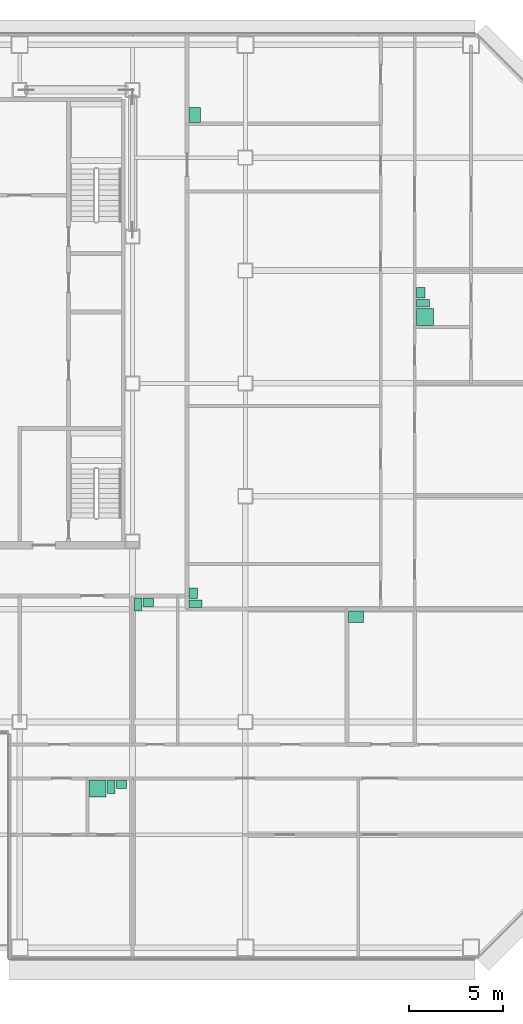
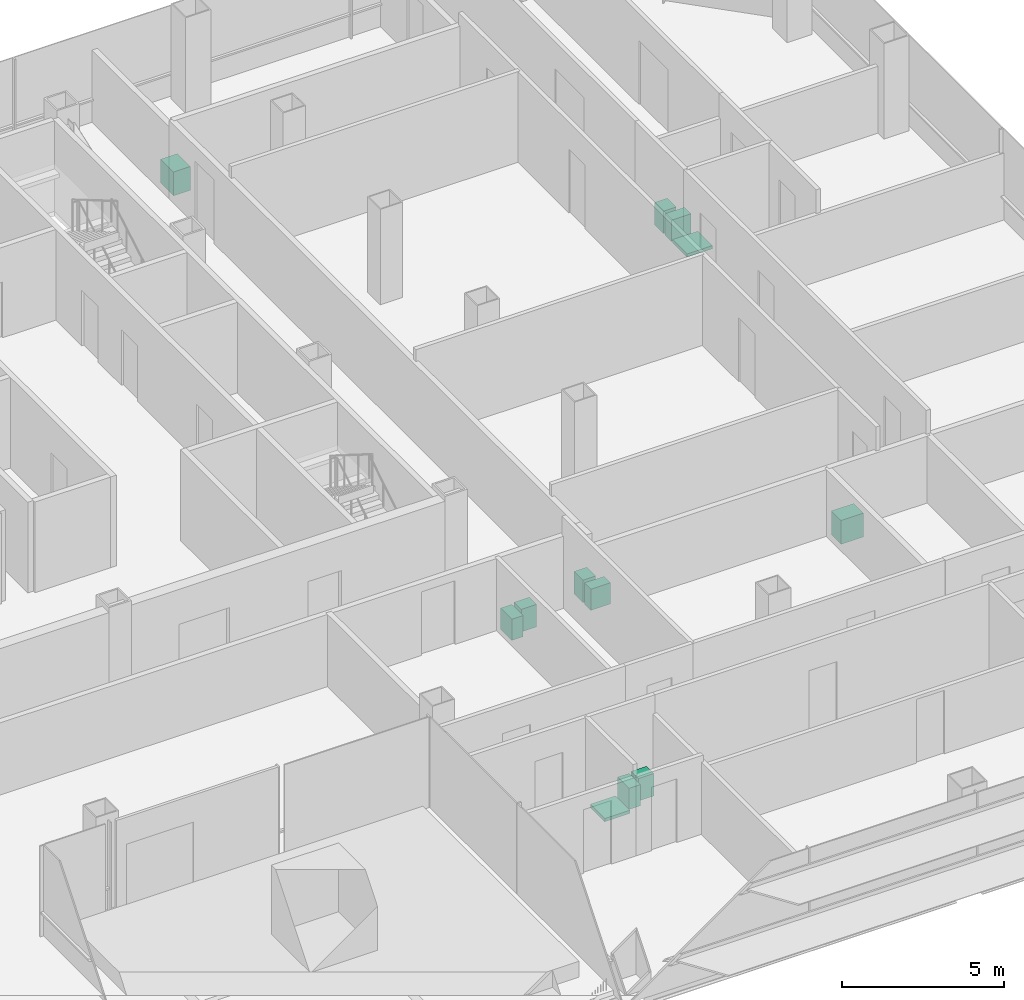
# One storey, part 26 of 27: 12 sanitary terminals.
"""IFC4 building model written with IfcOpenShell, lengths in metres."""

import ifcopenshell
import ifcopenshell.guid

model = None  # the IFC model being written
_history = None  # IfcOwnerHistory: only IFC2X3 demands one
_inside = {}  # id of a spatial element -> (the spatial element, [elements in it])
_under = {}  # id of a project, library or spatial element -> (it, [spatial elements below it])
_declared = {}  # id of a project -> (the project, [libraries it declares])
_typed = {}  # id of a type object -> (the type object, [elements of that type])
_made_of = {}  # id of a material, layer set ... -> (it, [elements and type objects made of it])


def new_model(schema):
    """Start an empty IFC model of exactly this schema.

    Asked for "IFC4X3", IfcOpenShell would pick the latest addendum, in which some entities
    have other attributes; the version numbers below select the first issue.
    IFC2X3 requires an IfcOwnerHistory on every rooted entity: one is made here for all.
    """
    global model, _history
    if schema == "IFC4X3":
        model = ifcopenshell.file(schema_version=(4, 3, 0, 0))
    else:
        model = ifcopenshell.file(schema=schema)
    _inside.clear()
    _under.clear()
    _declared.clear()
    _typed.clear()
    _made_of.clear()
    _history = None
    if model.schema == "IFC2X3":
        org = make("IfcOrganization", Name="unknown")
        user = make(
            "IfcPersonAndOrganization",
            ThePerson=make("IfcPerson", FamilyName="unknown"),
            TheOrganization=org,
        )
        app = make(
            "IfcApplication",
            ApplicationDeveloper=org,
            Version="unknown",
            ApplicationFullName="unknown",
            ApplicationIdentifier="unknown",
        )
        _history = make(
            "IfcOwnerHistory",
            OwningUser=user,
            OwningApplication=app,
            ChangeAction="ADDED",
            CreationDate=0,
        )
    return model


def make(cls, **values):
    """One entity of the class cls with the attributes given. An attribute that is None is left unset."""
    return model.create_entity(
        cls, **{name: value for name, value in values.items() if value is not None}
    )


def rooted(cls, **values):
    """An entity with a GlobalId (a new one), such as an element, a storey or a relation."""
    return make(cls, GlobalId=ifcopenshell.guid.new(), OwnerHistory=_history, **values)


def si_unit(unit_type, name, prefix=None):
    """IfcSIUnit, for example si_unit("LENGTHUNIT", "METRE", prefix="MILLI")."""
    return make("IfcSIUnit", UnitType=unit_type, Prefix=prefix, Name=name)


def assignment(units):
    """IfcUnitAssignment: the units of a project."""
    return None if units is None else make("IfcUnitAssignment", Units=units)


def point(xyz):
    """IfcCartesianPoint."""
    return None if xyz is None else make("IfcCartesianPoint", Coordinates=xyz)


def direction(xyz):
    """IfcDirection."""
    return None if xyz is None else make("IfcDirection", DirectionRatios=xyz)


def frame(location, z_axis=None, x_axis=None):
    """IfcAxis2Placement3D, a coordinate frame: its origin and axes. An axis left out is left unset."""
    return make(
        "IfcAxis2Placement3D",
        Location=point(location),
        Axis=direction(z_axis),
        RefDirection=direction(x_axis),
    )


def frame_2d(location, x_axis=None):
    """IfcAxis2Placement2D, a coordinate frame in the plane: its origin and x axis."""
    return make(
        "IfcAxis2Placement2D", Location=point(location), RefDirection=direction(x_axis)
    )


def origin():
    """The frame at (0, 0, 0) with its axes left unset."""
    return frame((0.0, 0.0, 0.0))


def origin_2d():
    """The frame at (0, 0) in the plane with its x axis left unset."""
    return frame_2d((0.0, 0.0))


def place(relative_to, where):
    """IfcLocalPlacement: puts the frame where relative to a parent placement (None: the world)."""
    return make(
        "IfcLocalPlacement", PlacementRelTo=relative_to, RelativePlacement=where
    )


def context(
    kind, dimensions, precision=None, world=None, true_north=None, identifier=None
):
    """IfcGeometricRepresentationContext, for example the 3D "Model" context."""
    return make(
        "IfcGeometricRepresentationContext",
        ContextIdentifier=identifier,
        ContextType=kind,
        CoordinateSpaceDimension=dimensions,
        Precision=precision,
        WorldCoordinateSystem=world,
        TrueNorth=true_north,
    )


def subcontext(parent, identifier, kind, view, scale=None):
    """IfcGeometricRepresentationSubContext, for example "Body" below "Model"."""
    return make(
        "IfcGeometricRepresentationSubContext",
        ContextIdentifier=identifier,
        ContextType=kind,
        ParentContext=parent,
        TargetScale=scale,
        TargetView=view,
    )


def project(units=None, contexts=None):
    """IfcProject with its units and contexts."""
    return rooted(
        "IfcProject",
        Name="project",
        RepresentationContexts=contexts,
        UnitsInContext=assignment(units),
    )


def spatial(cls, under=None, at=None, **own):
    """A site, building, storey or space (cls), placed at a placement, below another one or the project."""
    s = rooted(cls, ObjectPlacement=at, **own)
    if under is not None:
        _under.setdefault(under.id(), (under, []))[1].append(s)
    return s


def profile(cls, at=None, kind="AREA", **sizes):
    """A parametric profile (cls). Its sizes go by their IFC names, for example OverallWidth=200.0."""
    return make(cls, ProfileType=kind, Position=at, **sizes)


def rectangle(**sizes):
    """IfcRectangleProfileDef."""
    return profile("IfcRectangleProfileDef", **sizes)


def extrude(swept, where, along, depth):
    """IfcExtrudedAreaSolid: the profile swept, set in the frame where, extruded along a direction by depth."""
    return make(
        "IfcExtrudedAreaSolid",
        SweptArea=swept,
        Position=where,
        ExtrudedDirection=direction(along),
        Depth=depth,
    )


def shape(context_of_items, identifier, shape_type, items):
    """IfcShapeRepresentation: the items that make up one representation, for example the "Body"."""
    return make(
        "IfcShapeRepresentation",
        ContextOfItems=context_of_items,
        RepresentationIdentifier=identifier,
        RepresentationType=shape_type,
        Items=items,
    )


def made_of(thing, what):
    """Note that an element or type object is made of a material, layer set ...; save() writes the relation."""
    if what is not None:
        _made_of.setdefault(what.id(), (what, []))[1].append(thing)
    return thing


def element(
    cls,
    number,
    at=None,
    inside=None,
    cuts=None,
    type_object=None,
    material=None,
    context=None,
    identifier="Body",
    shape_type=None,
    held_by="IfcProductDefinitionShape",
    body=None,
    shapes=None,
    **own,
):
    """One element of the class cls, such as IfcWall. Its Tag is "e" and its number.

    at: its placement. inside: the storey or other place that contains it. cuts: it is an
    opening in that element (IfcRelVoidsElement). A single representation is given by context,
    identifier, shape_type and body (its items); several are given by shapes. held_by: the class
    of the entity that holds the representations. save() writes the other relations.
    """
    e = rooted(cls, Tag="e%d" % number, ObjectPlacement=at, **own)
    if body is not None:
        shapes = [shape(context, identifier, shape_type, body)]
    if shapes is not None:
        e.Representation = make(held_by, Representations=shapes)
    if inside is not None:
        _inside.setdefault(inside.id(), (inside, []))[1].append(e)
    if cuts is not None:
        rooted(
            "IfcRelVoidsElement", RelatingBuildingElement=cuts, RelatedOpeningElement=e
        )
    if type_object is not None:
        _typed.setdefault(type_object.id(), (type_object, []))[1].append(e)
    return made_of(e, material)


def aggregate(whole, parts):
    """IfcRelAggregates: a whole, such as a stair, and the parts it consists of."""
    return rooted("IfcRelAggregates", RelatingObject=whole, RelatedObjects=parts)


def save(model, path):
    """Write the relations noted so far, then the file.

    IfcRelAggregates (storeys below a building ...), IfcRelContainedInSpatialStructure (elements
    in a storey), IfcRelDefinesByType, IfcRelAssociatesMaterial and IfcRelDeclares: one each for
    every whole, place, type object, material and project.
    """
    for whole, parts in _under.values():
        aggregate(whole, parts)
    for where, things in _inside.values():
        rooted(
            "IfcRelContainedInSpatialStructure",
            RelatedElements=things,
            RelatingStructure=where,
        )
    for kind, things in _typed.values():
        rooted("IfcRelDefinesByType", RelatedObjects=things, RelatingType=kind)
    for what, things in _made_of.values():
        rooted("IfcRelAssociatesMaterial", RelatedObjects=things, RelatingMaterial=what)
    for by, libraries in _declared.values():
        rooted("IfcRelDeclares", RelatingContext=by, RelatedDefinitions=libraries)
    model.write(path)


model = new_model("IFC4")

# Units and contexts
model_context = context("Model", 3, precision=1e-05, world=origin(), true_north=direction((0.0, 1.0)))
body_context = subcontext(model_context, "Body", "Model", "MODEL_VIEW")
ifc_project = project(units=[si_unit("LENGTHUNIT", "METRE"), si_unit("AREAUNIT", "SQUARE_METRE"), si_unit("VOLUMEUNIT", "CUBIC_METRE"), si_unit("PLANEANGLEUNIT", "RADIAN"), si_unit("MASSUNIT", "GRAM", prefix="KILO")], contexts=[model_context])

# Site, building, storey
site_placement = place(None, origin())
site = spatial("IfcSite", under=ifc_project, at=site_placement, CompositionType="ELEMENT")
building_placement = place(site_placement, origin())
building = spatial("IfcBuilding", under=site, at=building_placement, Name="Sorahane Residences", CompositionType="ELEMENT")
storey_placement = place(building_placement, frame((0.0, 0.0, 82.199951171875)))
storey = spatial("IfcBuildingStorey", under=building, at=storey_placement, Name="L17", CompositionType="ELEMENT", Elevation=82.199951171875)

# Sanitary terminals
sanitary_terminal_1_placement = place(storey_placement, frame((40.1298828125, 8.449951171875, 0.0), z_axis=(0.0, 0.0, 1.0), x_axis=(1.0, 0.0, 0.0)))
element("IfcSanitaryTerminal", 1, at=sanitary_terminal_1_placement, inside=storey, Name="Shower tray En-suite bathroom 17B", PredefinedType="SHOWER", context=body_context, shape_type="SweptSolid", body=[
    extrude(rectangle(XDim=0.89990234375, YDim=0.89990234375, at=origin_2d()), origin(), (0.0, 0.0, 1.0), 0.1201171875),
])
sanitary_terminal_2_placement = place(storey_placement, frame((40.860107421875, 8.550048828125, 0.0), z_axis=(0.0, 0.0, 1.0), x_axis=(1.0, 0.0, 0.0)))
element("IfcSanitaryTerminal", 2, at=sanitary_terminal_2_placement, inside=storey, Name="WC pan En-suite bathroom 17B", PredefinedType="TOILETPAN", context=body_context, shape_type="SweptSolid", body=[
    extrude(rectangle(XDim=0.39990234375, YDim=0.699951171875, at=origin_2d()), origin(), (0.0, 0.0, 1.0), 0.800048828125),
])
sanitary_terminal_3_placement = place(storey_placement, frame((41.4150390625, 8.675048828125, 0.0), z_axis=(0.0, 0.0, 1.0), x_axis=(1.0, 0.0, 0.0)))
element("IfcSanitaryTerminal", 3, at=sanitary_terminal_3_placement, inside=storey, Name="Wash basin En-suite bathroom 17B", PredefinedType="WASHHANDBASIN", context=body_context, shape_type="SweptSolid", body=[
    extrude(rectangle(XDim=0.550048828125, YDim=0.449951171875, at=origin_2d()), origin(), (0.0, 0.0, 1.0), 0.85009765625),
])
sanitary_terminal_4_placement = place(storey_placement, frame((42.280029296875, 18.25, 0.0), z_axis=(0.0, 0.0, 1.0), x_axis=(1.0, 0.0, 0.0)))
element("IfcSanitaryTerminal", 4, at=sanitary_terminal_4_placement, inside=storey, Name="WC pan Powder room 17B", PredefinedType="TOILETPAN", context=body_context, shape_type="SweptSolid", body=[
    extrude(rectangle(XDim=0.39990234375, YDim=0.699951171875, at=origin_2d()), origin(), (0.0, 0.0, 1.0), 0.800048828125),
])
sanitary_terminal_5_placement = place(storey_placement, frame((42.8349609375, 18.375, 0.0), z_axis=(0.0, 0.0, 1.0), x_axis=(1.0, 0.0, 0.0)))
element("IfcSanitaryTerminal", 5, at=sanitary_terminal_5_placement, inside=storey, Name="Wash basin Powder room 17B", PredefinedType="WASHHANDBASIN", context=body_context, shape_type="SweptSolid", body=[
    extrude(rectangle(XDim=0.550048828125, YDim=0.449951171875, at=origin_2d()), origin(), (0.0, 0.0, 1.0), 0.85009765625),
])
sanitary_terminal_6_placement = place(storey_placement, frame((53.8798828125, 17.60009765625, 0.0), z_axis=(0.0, 0.0, 1.0), x_axis=(1.0, 0.0, 0.0)))
element("IfcSanitaryTerminal", 6, at=sanitary_terminal_6_placement, inside=storey, Name="Kitchen sink Kitchen 17B", PredefinedType="SINK", context=body_context, shape_type="SweptSolid", body=[
    extrude(rectangle(XDim=0.800048828125, YDim=0.60009765625, at=origin_2d()), origin(), (0.0, 0.0, 1.0), 0.89990234375),
])
sanitary_terminal_7_placement = place(storey_placement, frame((57.550048828125, 33.530029296875, 0.0), z_axis=(0.0, 0.0, 1.0), x_axis=(0.0, 1.0, 0.0)))
element("IfcSanitaryTerminal", 7, at=sanitary_terminal_7_placement, inside=storey, Name="Shower tray En-suite bathroom 17C", PredefinedType="SHOWER", context=body_context, shape_type="SweptSolid", body=[
    extrude(rectangle(XDim=0.89990234375, YDim=0.89990234375, at=origin_2d()), origin(), (0.0, 0.0, 1.0), 0.1201171875),
])
sanitary_terminal_8_placement = place(storey_placement, frame((57.449951171875, 34.260009765625, 0.0), z_axis=(0.0, 0.0, 1.0), x_axis=(0.0, 1.0, 0.0)))
element("IfcSanitaryTerminal", 8, at=sanitary_terminal_8_placement, inside=storey, Name="WC pan En-suite bathroom 17C", PredefinedType="TOILETPAN", context=body_context, shape_type="SweptSolid", body=[
    extrude(rectangle(XDim=0.39990234375, YDim=0.699951171875, at=origin_2d()), origin(), (0.0, 0.0, 1.0), 0.800048828125),
])
sanitary_terminal_9_placement = place(storey_placement, frame((57.324951171875, 34.81494140625, 0.0), z_axis=(0.0, 0.0, 1.0), x_axis=(0.0, 1.0, 0.0)))
element("IfcSanitaryTerminal", 9, at=sanitary_terminal_9_placement, inside=storey, Name="Wash basin En-suite bathroom 17C", PredefinedType="WASHHANDBASIN", context=body_context, shape_type="SweptSolid", body=[
    extrude(rectangle(XDim=0.550048828125, YDim=0.449951171875, at=origin_2d()), origin(), (0.0, 0.0, 1.0), 0.85009765625),
])
sanitary_terminal_10_placement = place(storey_placement, frame((45.35009765625, 18.280029296875, 0.0), z_axis=(0.0, 0.0, 1.0), x_axis=(0.0, 1.0, 0.0)))
element("IfcSanitaryTerminal", 10, at=sanitary_terminal_10_placement, inside=storey, Name="WC pan Guest WC 17C", PredefinedType="TOILETPAN", context=body_context, shape_type="SweptSolid", body=[
    extrude(rectangle(XDim=0.39990234375, YDim=0.699951171875, at=origin_2d()), origin(), (0.0, 0.0, 1.0), 0.800048828125),
])
sanitary_terminal_11_placement = place(storey_placement, frame((45.22509765625, 18.8349609375, 0.0), z_axis=(0.0, 0.0, 1.0), x_axis=(0.0, 1.0, 0.0)))
element("IfcSanitaryTerminal", 11, at=sanitary_terminal_11_placement, inside=storey, Name="Wash basin Guest WC 17C", PredefinedType="WASHHANDBASIN", context=body_context, shape_type="SweptSolid", body=[
    extrude(rectangle(XDim=0.550048828125, YDim=0.449951171875, at=origin_2d()), origin(), (0.0, 0.0, 1.0), 0.85009765625),
])
sanitary_terminal_12_placement = place(storey_placement, frame((45.300048828125, 44.280029296875, 0.0), z_axis=(0.0, 0.0, 1.0), x_axis=(0.0, 1.0, 0.0)))
element("IfcSanitaryTerminal", 12, at=sanitary_terminal_12_placement, inside=storey, Name="Kitchen sink Kitchen 17C", PredefinedType="SINK", context=body_context, shape_type="SweptSolid", body=[
    extrude(rectangle(XDim=0.800048828125, YDim=0.60009765625, at=origin_2d()), origin(), (0.0, 0.0, 1.0), 0.89990234375),
])

save(model, "model.ifc")
